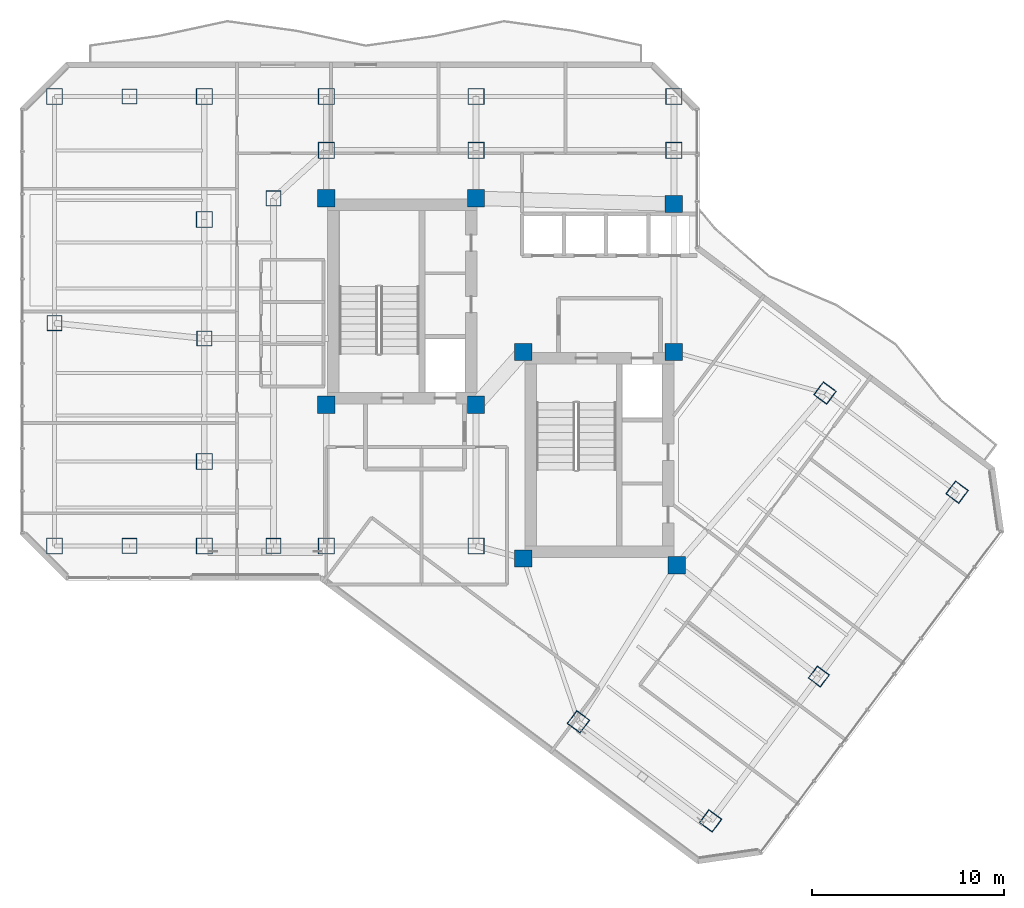
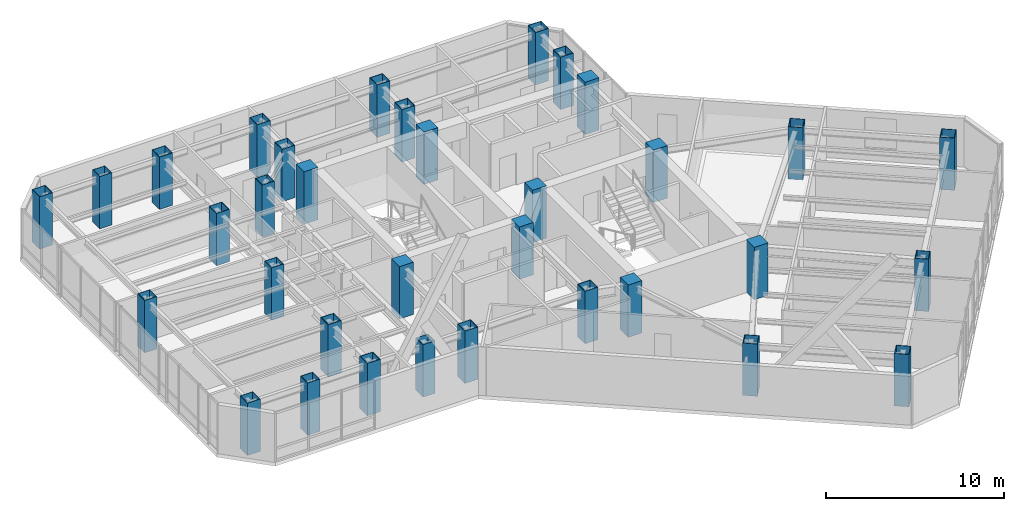
# One storey, part 1 of 27: 34 columns.
"""IFC4 building model written with IfcOpenShell, lengths in metres."""

from ifc_helpers import new_model, si_unit, direction, frame, origin, origin_2d, place, context, subcontext, project, spatial, rectangle, hollow_rectangle, extrude, material, material_profile, profile_set, type_object, element, save


model = new_model("IFC4")

# Units and contexts
model_context = context("Model", 3, precision=1e-05, world=origin(), true_north=direction((0.0, 1.0)))
body_context = subcontext(model_context, "Body", "Model", "MODEL_VIEW")
ifc_project = project(units=[si_unit("LENGTHUNIT", "METRE"), si_unit("AREAUNIT", "SQUARE_METRE"), si_unit("VOLUMEUNIT", "CUBIC_METRE"), si_unit("PLANEANGLEUNIT", "RADIAN"), si_unit("MASSUNIT", "GRAM", prefix="KILO")], contexts=[model_context])

# Site, building, storey
site_placement = place(None, origin())
site = spatial("IfcSite", under=ifc_project, at=site_placement, CompositionType="ELEMENT")
building_placement = place(site_placement, origin())
building = spatial("IfcBuilding", under=site, at=building_placement, Name="Hatsunagi Terrace Concourse", CompositionType="ELEMENT")
storey_placement = place(building_placement, frame((0.0, 0.0, 145.64990234375)))
storey = spatial("IfcBuildingStorey", under=building, at=storey_placement, Name="L38", CompositionType="ELEMENT", Elevation=145.64990234375)

# Columns
ifc_material_1 = material(Name="Concrete Fc48", Category="concrete")
ifc_material_profile_1 = material_profile(ifc_material_1, rectangle(XDim=0.89990234375, YDim=0.89990234375, at=origin_2d()), Name="RC-900x900")
ifc_profile_set_1 = profile_set([ifc_material_profile_1], Name="Concrete Fc48")
column_type_1 = type_object("IfcColumnType", Name="CoreColumn_RC_900x900", PredefinedType="COLUMN", material=ifc_profile_set_1)
for number, where, z_axis, x_axis, name in (
    (1, (25.550048828125, 32.550048828125, 0.0), (0.0, 0.0, 1.0), (1.0, 0.0, 0.0), "Column C-02 L38-CASW"),
    (2, (33.35009765625, 32.550048828125, 0.0), (0.0, 0.0, 1.0), (1.0, 0.0, 0.0), "Column C-02 L38-CASE"),
    (3, (25.550048828125, 43.300048828125, 0.0), (0.0, 0.0, 1.0), (1.0, 0.0, 0.0), "Column C-02 L38-CANW"),
    (4, (33.35009765625, 43.300048828125, 0.0), (0.0, 0.0, 1.0), (1.0, 0.0, 0.0), "Column C-02 L38-CANE"),
    (5, (35.800048828125, 24.550048828125, 0.0), (0.0, 0.0, 1.0), (1.0, 0.0, 0.0), "Column C-02 L38-CBSW"),
    (6, (43.800048828125, 24.199951171875, 0.0), (0.0, 0.0, 1.0), (1.0, 0.0, 0.0), "Column C-02 L38-CBSE"),
    (7, (35.800048828125, 35.300048828125, 0.0), (0.0, 0.0, 1.0), (1.0, 0.0, 0.0), "Column C-02 L38-CBNW"),
    (8, (43.64990234375, 35.300048828125, 0.0), (0.0, 0.0, 1.0), (1.0, 0.0, 0.0), "Column C-02 L38-CBNE"),
    (9, (43.64990234375, 43.0, 0.0), (0.0, 0.0, 1.0), (1.0, 0.0, 0.0), "Column C-02 L38-K3"),
):
    element("IfcColumn", number, at=place(storey_placement, frame(where, z_axis=z_axis, x_axis=x_axis)), inside=storey, type_object=column_type_1, Name=name, PredefinedType="COLUMN", context=body_context, shape_type="SweptSolid", body=[
        extrude(rectangle(XDim=0.89990234375, YDim=0.89990234375, at=origin_2d()), origin(), (0.0, 0.0, 1.0), 3.60009765625),
    ])
ifc_material_2 = material(Name="Steel BCP325T", Category="steel")
ifc_material_profile_2 = material_profile(ifc_material_2, hollow_rectangle(XDim=0.800048828125, YDim=0.800048828125, WallThickness=0.031982421875, at=origin_2d()), Name="BCP-800x800x32")
ifc_profile_set_2 = profile_set([ifc_material_profile_2], Name="Steel BCP325T")
column_type_2 = type_object("IfcColumnType", Name="TowerBoxColumn_800x800x32", PredefinedType="COLUMN", material=ifc_profile_set_2)
for number, where, z_axis, x_axis, name in (
    (10, (22.800048828125, 25.199951171875, 0.0), (0.0, 0.0, 1.0), (1.0, 0.0, 0.0), "Column C-06 L38-CW1"),
    (11, (22.800048828125, 43.300048828125, 0.0), (0.0, 0.0, 1.0), (1.0, 0.0, 0.0), "Column C-06 L38-CW2"),
    (12, (11.39990234375, 36.800048828125, 0.0), (0.0, 0.0, 1.0), (1.0, 0.0, 0.0), "Column C-06 L38-WT1"),
    (13, (19.199951171875, 36.0, 0.0), (0.0, 0.0, 1.0), (1.0, 0.0, 0.0), "Column C-06 L38-WT2"),
    (14, (15.300048828125, 25.199951171875, 0.0), (0.0, 0.0, 1.0), (1.0, 0.0, 0.0), "Column C-06 L38-WT3"),
    (15, (15.300048828125, 48.60009765625, 0.0), (0.0, 0.0, 1.0), (1.0, 0.0, 0.0), "Column C-06 L38-WT4"),
    (16, (51.199951171875, 18.39990234375, 0.0), (0.0, 0.0, 1.0), (0.799999996291, -0.600000004945, 0.0), "Column C-06 L38-SEM2"),
):
    element("IfcColumn", number, at=place(storey_placement, frame(where, z_axis=z_axis, x_axis=x_axis)), inside=storey, type_object=column_type_2, Name=name, PredefinedType="COLUMN", context=body_context, shape_type="SweptSolid", body=[
        extrude(hollow_rectangle(XDim=0.800048828125, YDim=0.800048828125, WallThickness=0.031982421875, at=origin_2d()), origin(), (0.0, 0.0, 1.0), 3.60009765625),
    ])
ifc_material_3 = material(Name="Steel BCP325T", Category="steel")
ifc_material_profile_3 = material_profile(ifc_material_3, hollow_rectangle(XDim=0.85009765625, YDim=0.85009765625, WallThickness=0.031982421875, at=origin_2d()), Name="BCP-850x850x32")
ifc_profile_set_3 = profile_set([ifc_material_profile_3], Name="Steel BCP325T")
column_type_3 = type_object("IfcColumnType", Name="TowerBoxColumn_850x850x32", PredefinedType="COLUMN", material=ifc_profile_set_3)
for number, where, z_axis, x_axis, name in (
    (17, (25.550048828125, 25.199951171875, 0.0), (0.0, 0.0, 1.0), (1.0, 0.0, 0.0), "Column C-05 L38-K1"),
    (18, (33.35009765625, 25.199951171875, 0.0), (0.0, 0.0, 1.0), (1.0, 0.0, 0.0), "Column C-05 L38-K2"),
    (19, (25.550048828125, 45.800048828125, 0.0), (0.0, 0.0, 1.0), (1.0, 0.0, 0.0), "Column C-05 L38-CN1"),
    (20, (33.35009765625, 45.800048828125, 0.0), (0.0, 0.0, 1.0), (1.0, 0.0, 0.0), "Column C-05 L38-CN2"),
    (21, (43.64990234375, 45.800048828125, 0.0), (0.0, 0.0, 1.0), (1.0, 0.0, 0.0), "Column C-05 L38-CN3"),
    (22, (11.39990234375, 25.199951171875, 0.0), (0.0, 0.0, 1.0), (1.0, 0.0, 0.0), "Column C-05 L38-WS2"),
    (23, (11.39990234375, 48.60009765625, 0.0), (0.0, 0.0, 1.0), (1.0, 0.0, 0.0), "Column C-05 L38-WN2"),
    (24, (19.199951171875, 48.60009765625, 0.0), (0.0, 0.0, 1.0), (1.0, 0.0, 0.0), "Column C-05 L38-WN3"),
    (25, (25.550048828125, 48.60009765625, 0.0), (0.0, 0.0, 1.0), (1.0, 0.0, 0.0), "Column C-05 L38-WN4"),
    (26, (33.35009765625, 48.60009765625, 0.0), (0.0, 0.0, 1.0), (1.0, 0.0, 0.0), "Column C-05 L38-WN5"),
    (27, (43.64990234375, 48.60009765625, 0.0), (0.0, 0.0, 1.0), (1.0, 0.0, 0.0), "Column C-05 L38-WN6"),
    (28, (19.199951171875, 25.199951171875, 0.0), (0.0, 0.0, 1.0), (1.0, 0.0, 0.0), "Column C-05 L38-WS3"),
    (29, (19.199951171875, 29.60009765625, 0.0), (0.0, 0.0, 1.0), (1.0, 0.0, 0.0), "Column C-05 L38-WR1"),
    (30, (19.199951171875, 42.199951171875, 0.0), (0.0, 0.0, 1.0), (1.0, 0.0, 0.0), "Column C-05 L38-WR2"),
    (31, (38.679931640625, 16.0400390625, 0.0), (0.0, 0.0, 1.0), (0.799999996291, -0.600000004945, 0.0), "Column C-05 L38-SES1"),
    (32, (51.52001953125, 33.159912109375, 0.0), (0.0, 0.0, 1.0), (0.799999996291, -0.600000004945, 0.0), "Column C-05 L38-SEN1"),
    (33, (45.56005859375, 10.8798828125, 0.0), (0.0, 0.0, 1.0), (0.799999996291, -0.600000004945, 0.0), "Column C-05 L38-SES2"),
    (34, (58.39990234375, 28.0, 0.0), (0.0, 0.0, 1.0), (0.799999996291, -0.600000004945, 0.0), "Column C-05 L38-SEN2"),
):
    element("IfcColumn", number, at=place(storey_placement, frame(where, z_axis=z_axis, x_axis=x_axis)), inside=storey, type_object=column_type_3, Name=name, PredefinedType="COLUMN", context=body_context, shape_type="SweptSolid", body=[
        extrude(hollow_rectangle(XDim=0.85009765625, YDim=0.85009765625, WallThickness=0.031982421875, at=origin_2d()), origin(), (0.0, 0.0, 1.0), 3.60009765625),
    ])

save(model, "model.ifc")
